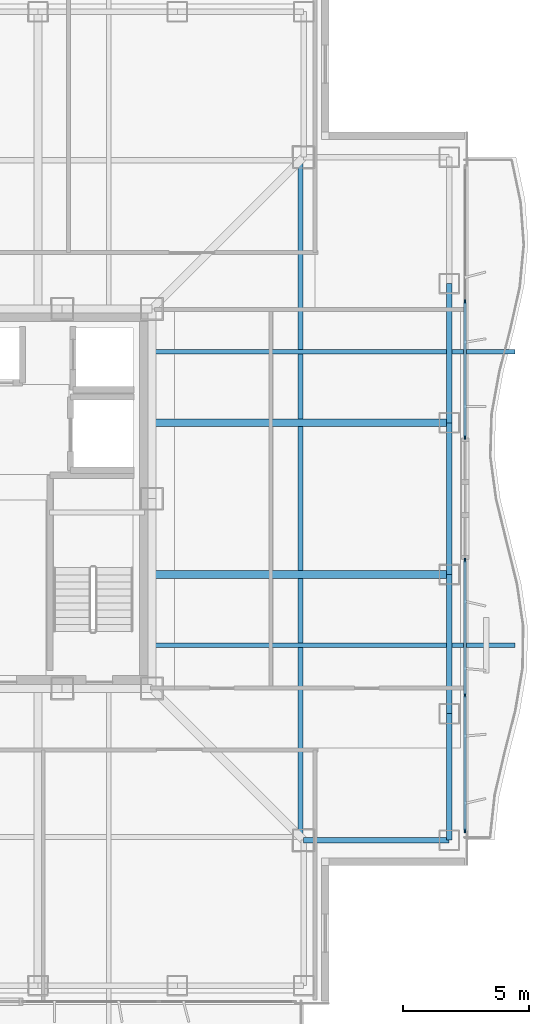
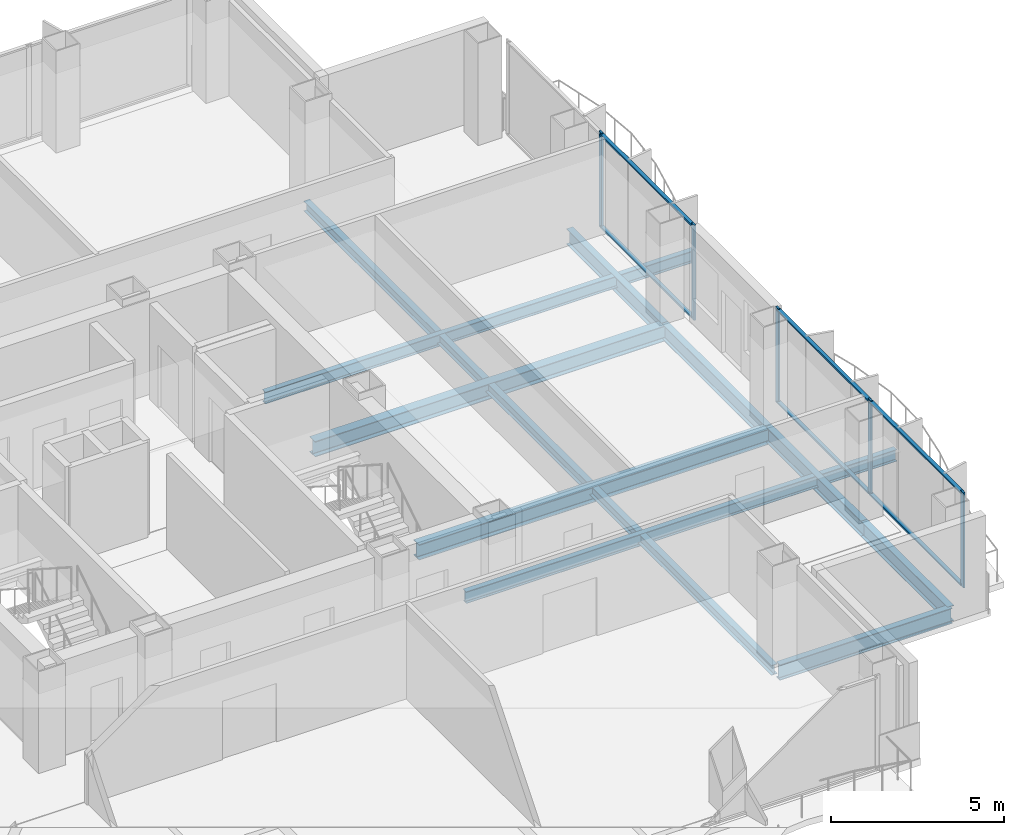
# One storey, part 6 of 16: 11 members, 10 beams, 2 elements without a shape of their own.
"""IFC4 building model written with IfcOpenShell, lengths in metres."""

from ifc_helpers import new_model, si_unit, direction, frame, origin, origin_2d, place, context, subcontext, project, spatial, rectangle, i_section, extrude, material, layer, layer_set, material_profile, profile_set, type_object, element, aggregate, save


model = new_model("IFC4")

# Units and contexts
model_context = context("Model", 3, precision=1e-05, world=origin(), true_north=direction((0.0, 1.0)))
body_context = subcontext(model_context, "Body", "Model", "MODEL_VIEW")
ifc_project = project(units=[si_unit("LENGTHUNIT", "METRE"), si_unit("AREAUNIT", "SQUARE_METRE"), si_unit("VOLUMEUNIT", "CUBIC_METRE"), si_unit("PLANEANGLEUNIT", "RADIAN"), si_unit("MASSUNIT", "GRAM", prefix="KILO")], contexts=[model_context])

# Site, building, storey
site_placement = place(None, origin())
site = spatial("IfcSite", under=ifc_project, at=site_placement, CompositionType="ELEMENT")
building_placement = place(site_placement, origin())
building = spatial("IfcBuilding", under=site, at=building_placement, Name="Trevonay Congress Spire", CompositionType="ELEMENT")
storey_placement = place(building_placement, frame((0.0, 0.0, 195.0)))
storey = spatial("IfcBuildingStorey", under=building, at=storey_placement, Name="L50", CompositionType="ELEMENT", Elevation=195.0)

# Beams
ifc_material_1 = material(Name="Steel ASTM A572 Grade 50", Category="steel")
ifc_material_profile_1 = material_profile(ifc_material_1, i_section(OverallWidth=0.31201171875, OverallDepth=0.54296875, WebThickness=0.0126953125, FlangeThickness=0.020263671875, FilletRadius=0.014892578125, at=origin_2d()), Name="W530x150")
ifc_profile_set_1 = profile_set([ifc_material_profile_1], Name="Steel ASTM A572 Grade 50")
beam_type_1 = type_object("IfcBeamType", Name="BM-GIRD-W530X150", PredefinedType="BEAM", material=ifc_profile_set_1)
for number, where, z_axis, x_axis, name in (
    (1, (7.5, -3.0, -0.511474609375), (1.0, 0.0, 0.0), (0.0, 1.0, 0.0), "L50 structural beam BM-L50-GE-M"),
    (2, (7.5, 3.0, -0.511474609375), (1.0, 0.0, 0.0), (0.0, 1.0, 0.0), "L50 structural beam BM-L50-GE-P"),
):
    element("IfcBeam", number, at=place(storey_placement, frame(where, z_axis=z_axis, x_axis=x_axis)), inside=storey, type_object=beam_type_1, Name=name, PredefinedType="BEAM", context=body_context, shape_type="SweptSolid", body=[
        extrude(i_section(OverallWidth=0.31201171875, OverallDepth=0.54296875, WebThickness=0.0126953125, FlangeThickness=0.020263671875, FilletRadius=0.014892578125, at=origin_2d()), origin(), (0.0, 0.0, 1.0), 11.75),
    ])
ifc_material_profile_2 = material_profile(ifc_material_1, i_section(OverallWidth=0.2119140625, OverallDepth=0.5439453125, WebThickness=0.01318359375, FlangeThickness=0.021240234375, FilletRadius=0.014892578125, at=origin_2d()), Name="W530x123")
ifc_profile_set_2 = profile_set([ifc_material_profile_2], Name="Steel ASTM A572 Grade 50")
beam_type_2 = type_object("IfcBeamType", Name="BM-RING-W530X123", PredefinedType="BEAM", material=ifc_profile_set_2)
beam_1_placement = place(storey_placement, frame((19.25, -13.5, -0.511962890625), z_axis=(0.0, 1.0, 0.0), x_axis=(-1.0, 0.0, 0.0)))
element("IfcBeam", 3, at=beam_1_placement, inside=storey, type_object=beam_type_2, Name="L50 structural beam BM-L50-PE1", PredefinedType="BEAM", context=body_context, shape_type="SweptSolid", body=[
    extrude(i_section(OverallWidth=0.2119140625, OverallDepth=0.5439453125, WebThickness=0.01318359375, FlangeThickness=0.021240234375, FilletRadius=0.014892578125, at=origin_2d()), origin(), (0.0, 0.0, 1.0), 5.0),
])
beam_2_placement = place(storey_placement, frame((19.25, -8.5, -0.511962890625), z_axis=(0.0, 1.0, 0.0), x_axis=(-1.0, 0.0, 0.0)))
element("IfcBeam", 4, at=beam_2_placement, inside=storey, type_object=beam_type_2, Name="L50 structural beam BM-L50-PE2", PredefinedType="BEAM", context=body_context, shape_type="SweptSolid", body=[
    extrude(i_section(OverallWidth=0.2119140625, OverallDepth=0.5439453125, WebThickness=0.01318359375, FlangeThickness=0.021240234375, FilletRadius=0.014892578125, at=origin_2d()), origin(), (0.0, 0.0, 1.0), 5.5),
])
beam_3_placement = place(storey_placement, frame((19.25, -3.0, -0.511962890625), z_axis=(0.0, 1.0, 0.0), x_axis=(-1.0, 0.0, 0.0)))
element("IfcBeam", 5, at=beam_3_placement, inside=storey, type_object=beam_type_2, Name="L50 structural beam BM-L50-PE3", PredefinedType="BEAM", context=body_context, shape_type="SweptSolid", body=[
    extrude(i_section(OverallWidth=0.2119140625, OverallDepth=0.5439453125, WebThickness=0.01318359375, FlangeThickness=0.021240234375, FilletRadius=0.014892578125, at=origin_2d()), origin(), (0.0, 0.0, 1.0), 6.0),
])
beam_4_placement = place(storey_placement, frame((19.25, 3.0, -0.511962890625), z_axis=(0.0, 1.0, 0.0), x_axis=(-1.0, 0.0, 0.0)))
element("IfcBeam", 6, at=beam_4_placement, inside=storey, type_object=beam_type_2, Name="L50 structural beam BM-L50-PE4", PredefinedType="BEAM", context=body_context, shape_type="SweptSolid", body=[
    extrude(i_section(OverallWidth=0.2119140625, OverallDepth=0.5439453125, WebThickness=0.01318359375, FlangeThickness=0.021240234375, FilletRadius=0.014892578125, at=origin_2d()), origin(), (0.0, 0.0, 1.0), 5.5),
])
beam_5_placement = place(storey_placement, frame((19.25, -13.5, -0.511962890625), z_axis=(-1.0, 0.0, 0.0), x_axis=(0.0, -1.0, 0.0)))
element("IfcBeam", 7, at=beam_5_placement, inside=storey, type_object=beam_type_2, Name="L50 structural beam BM-L50-N2SE", PredefinedType="BEAM", context=body_context, shape_type="SweptSolid", body=[
    extrude(i_section(OverallWidth=0.2119140625, OverallDepth=0.5439453125, WebThickness=0.01318359375, FlangeThickness=0.021240234375, FilletRadius=0.014892578125, at=origin_2d()), origin(), (0.0, 0.0, 1.0), 5.75),
])
ifc_material_profile_3 = material_profile(ifc_material_1, i_section(OverallWidth=0.180908203125, OverallDepth=0.4169921875, WebThickness=0.010986328125, FlangeThickness=0.018310546875, FilletRadius=0.012939453125, at=origin_2d()), Name="W410x85")
ifc_profile_set_3 = profile_set([ifc_material_profile_3], Name="Steel ASTM A572 Grade 50")
beam_type_3 = type_object("IfcBeamType", Name="BM-WAV-LOOKOUT", PredefinedType="BEAM", material=ifc_profile_set_3)
for number, where, z_axis, x_axis, name in (
    (8, (7.5, -5.800048828125, -0.448486328125), (1.0, 0.0, 0.0), (0.0, 1.0, 0.0), "L50 structural beam WLK-L50-E1"),
    (9, (7.5, 5.800048828125, -0.448486328125), (1.0, 0.0, 0.0), (0.0, 1.0, 0.0), "L50 structural beam WLK-L50-E2"),
):
    element("IfcBeam", number, at=place(storey_placement, frame(where, z_axis=z_axis, x_axis=x_axis)), inside=storey, type_object=beam_type_3, Name=name, PredefinedType="BEAM", context=body_context, shape_type="SweptSolid", body=[
        extrude(i_section(OverallWidth=0.180908203125, OverallDepth=0.4169921875, WebThickness=0.010986328125, FlangeThickness=0.018310546875, FilletRadius=0.012939453125, at=origin_2d()), origin(), (0.0, 0.0, 1.0), 14.35009765625),
    ])

# Curtain wall, members
ifc_material_2 = material(Name="Pale Anodised Aluminium EN AW-6063-T6", Category="aluminium")
ifc_layer = layer(ifc_material_2, 0.169921875, Name="Pale Anodised Aluminium EN AW-6063-T6")
ifc_layer_set = layer_set([ifc_layer], Name="Pale Anodised Aluminium EN AW-6063-T6")
curtain_wall_type = type_object("IfcCurtainWallType", Name="CW-SYS04-CORP-PALE-METAL", PredefinedType="NOTDEFINED", material=ifc_layer_set)
curtain_wall_1_placement = place(storey_placement, origin())
curtain_wall_1 = element("IfcCurtainWall", 10, at=curtain_wall_1_placement, inside=storey, type_object=curtain_wall_type, Name="L50 EA unitised curtain wall", PredefinedType="NOTDEFINED")
ifc_material_profile_4 = material_profile(ifc_material_2, rectangle(XDim=0.06005859375, YDim=0.159912109375, at=origin_2d()), Name="CW-MULLION-160-ALUMINIUM")
ifc_profile_set_4 = profile_set([ifc_material_profile_4], Name="Pale Anodised Aluminium EN AW-6063-T6")
member_type_1 = type_object("IfcMemberType", Name="CW-MULLION-160-ALUMINIUM", PredefinedType="MULLION", material=ifc_profile_set_4)
member_1_placement = place(storey_placement, frame((19.8798828125, -13.1201171875, 0.0), z_axis=(0.0, 0.0, 1.0), x_axis=(-1.0, 0.0, 0.0)))
member_1 = element("IfcMember", 11, at=member_1_placement, type_object=member_type_1, Name="CW04 mullion 1", PredefinedType="MULLION", context=body_context, shape_type="SweptSolid", body=[
    extrude(rectangle(XDim=0.06005859375, YDim=0.159912109375, at=origin_2d()), origin(), (0.0, 0.0, 1.0), 3.360107421875),
])
member_2_placement = place(storey_placement, frame((19.8798828125, -7.77490234375, 0.0), z_axis=(0.0, 0.0, 1.0), x_axis=(-1.0, 0.0, 0.0)))
member_2 = element("IfcMember", 12, at=member_2_placement, type_object=member_type_1, Name="CW04 mullion 2", PredefinedType="MULLION", context=body_context, shape_type="SweptSolid", body=[
    extrude(rectangle(XDim=0.06005859375, YDim=0.159912109375, at=origin_2d()), origin(), (0.0, 0.0, 1.0), 3.360107421875),
])
member_3_placement = place(storey_placement, frame((19.8798828125, -2.429931640625, 0.0), z_axis=(0.0, 0.0, 1.0), x_axis=(-1.0, 0.0, 0.0)))
member_3 = element("IfcMember", 13, at=member_3_placement, type_object=member_type_1, Name="CW04 mullion 3", PredefinedType="MULLION", context=body_context, shape_type="SweptSolid", body=[
    extrude(rectangle(XDim=0.06005859375, YDim=0.159912109375, at=origin_2d()), origin(), (0.0, 0.0, 1.0), 3.360107421875),
])

curtain_wall_2_placement = place(storey_placement, origin())
curtain_wall_2 = element("IfcCurtainWall", 14, at=curtain_wall_2_placement, inside=storey, type_object=curtain_wall_type, Name="L50 EB unitised curtain wall", PredefinedType="NOTDEFINED")
member_4_placement = place(storey_placement, frame((19.8798828125, 2.429931640625, 0.0), z_axis=(0.0, 0.0, 1.0), x_axis=(-1.0, 0.0, 0.0)))
member_4 = element("IfcMember", 15, at=member_4_placement, type_object=member_type_1, Name="CW04 mullion 1", PredefinedType="MULLION", context=body_context, shape_type="SweptSolid", body=[
    extrude(rectangle(XDim=0.06005859375, YDim=0.159912109375, at=origin_2d()), origin(), (0.0, 0.0, 1.0), 3.360107421875),
])
member_5_placement = place(storey_placement, frame((19.8798828125, 7.77490234375, 0.0), z_axis=(0.0, 0.0, 1.0), x_axis=(-1.0, 0.0, 0.0)))
member_5 = element("IfcMember", 16, at=member_5_placement, type_object=member_type_1, Name="CW04 mullion 2", PredefinedType="MULLION", context=body_context, shape_type="SweptSolid", body=[
    extrude(rectangle(XDim=0.06005859375, YDim=0.159912109375, at=origin_2d()), origin(), (0.0, 0.0, 1.0), 3.360107421875),
])

# Member
ifc_material_profile_5 = material_profile(ifc_material_2, rectangle(XDim=0.1201171875, YDim=0.06005859375, at=origin_2d()), Name="CW-TRANSOM-120-ALUMINIUM")
ifc_profile_set_5 = profile_set([ifc_material_profile_5], Name="Pale Anodised Aluminium EN AW-6063-T6")
member_type_2 = type_object("IfcMemberType", Name="CW-TRANSOM-120-ALUMINIUM", PredefinedType="USERDEFINED", material=ifc_profile_set_5)
member_6_placement = place(storey_placement, frame((19.8798828125, -13.090087890625, 0.06005859375), z_axis=(0.0, 1.0, 0.0), x_axis=(-1.0, 0.0, 0.0)))
member_6 = element("IfcMember", 17, at=member_6_placement, type_object=member_type_2, Name="CW04 transom 1.1", ObjectType="TRANSOM", PredefinedType="USERDEFINED", context=body_context, shape_type="SweptSolid", body=[
    extrude(rectangle(XDim=0.1201171875, YDim=0.06005859375, at=origin_2d()), origin(), (0.0, 0.0, 1.0), 5.28515625),
])

member_7_placement = place(storey_placement, frame((19.8798828125, -13.090087890625, 3.300048828125), z_axis=(0.0, 1.0, 0.0), x_axis=(-1.0, 0.0, 0.0)))
member_7 = element("IfcMember", 18, at=member_7_placement, type_object=member_type_2, Name="CW04 transom 1.2", ObjectType="TRANSOM", PredefinedType="USERDEFINED", context=body_context, shape_type="SweptSolid", body=[
    extrude(rectangle(XDim=0.1201171875, YDim=0.06005859375, at=origin_2d()), origin(), (0.0, 0.0, 1.0), 5.28515625),
])

member_8_placement = place(storey_placement, frame((19.8798828125, -7.7451171875, 0.06005859375), z_axis=(0.0, 1.0, 0.0), x_axis=(-1.0, 0.0, 0.0)))
member_8 = element("IfcMember", 19, at=member_8_placement, type_object=member_type_2, Name="CW04 transom 2.1", ObjectType="TRANSOM", PredefinedType="USERDEFINED", context=body_context, shape_type="SweptSolid", body=[
    extrude(rectangle(XDim=0.1201171875, YDim=0.06005859375, at=origin_2d()), origin(), (0.0, 0.0, 1.0), 5.28515625),
])

member_9_placement = place(storey_placement, frame((19.8798828125, -7.7451171875, 3.300048828125), z_axis=(0.0, 1.0, 0.0), x_axis=(-1.0, 0.0, 0.0)))
member_9 = element("IfcMember", 20, at=member_9_placement, type_object=member_type_2, Name="CW04 transom 2.2", ObjectType="TRANSOM", PredefinedType="USERDEFINED", context=body_context, shape_type="SweptSolid", body=[
    extrude(rectangle(XDim=0.1201171875, YDim=0.06005859375, at=origin_2d()), origin(), (0.0, 0.0, 1.0), 5.28515625),
])

aggregate(curtain_wall_1, [member_1, member_2, member_3, member_6, member_7, member_8, member_9])

member_10_placement = place(storey_placement, frame((19.8798828125, 2.4599609375, 0.06005859375), z_axis=(0.0, 1.0, 0.0), x_axis=(-1.0, 0.0, 0.0)))
member_10 = element("IfcMember", 21, at=member_10_placement, type_object=member_type_2, Name="CW04 transom 1.1", ObjectType="TRANSOM", PredefinedType="USERDEFINED", context=body_context, shape_type="SweptSolid", body=[
    extrude(rectangle(XDim=0.1201171875, YDim=0.06005859375, at=origin_2d()), origin(), (0.0, 0.0, 1.0), 5.28515625),
])

member_11_placement = place(storey_placement, frame((19.8798828125, 2.4599609375, 3.300048828125), z_axis=(0.0, 1.0, 0.0), x_axis=(-1.0, 0.0, 0.0)))
member_11 = element("IfcMember", 22, at=member_11_placement, type_object=member_type_2, Name="CW04 transom 1.2", ObjectType="TRANSOM", PredefinedType="USERDEFINED", context=body_context, shape_type="SweptSolid", body=[
    extrude(rectangle(XDim=0.1201171875, YDim=0.06005859375, at=origin_2d()), origin(), (0.0, 0.0, 1.0), 5.28515625),
])

aggregate(curtain_wall_2, [member_4, member_5, member_10, member_11])

# Beam
ifc_material_profile_6 = material_profile(ifc_material_1, i_section(OverallWidth=0.205078125, OverallDepth=0.35400390625, WebThickness=0.009521484375, FlangeThickness=0.016845703125, FilletRadius=0.011962890625, at=origin_2d()), Name="W360x79")
ifc_profile_set_6 = profile_set([ifc_material_profile_6], Name="Steel ASTM A572 Grade 50")
beam_type_4 = type_object("IfcBeamType", Name="JS-COMP-W360X79", PredefinedType="JOIST", material=ifc_profile_set_6)
beam_6_placement = place(storey_placement, frame((13.375, -13.5, -0.4169921875), z_axis=(0.0, 1.0, 0.0), x_axis=(-1.0, 0.0, 0.0)))
element("IfcBeam", 23, at=beam_6_placement, inside=storey, type_object=beam_type_4, Name="L50 structural beam JS-L50-RING-E", PredefinedType="JOIST", context=body_context, shape_type="SweptSolid", body=[
    extrude(i_section(OverallWidth=0.205078125, OverallDepth=0.35400390625, WebThickness=0.009521484375, FlangeThickness=0.016845703125, FilletRadius=0.011962890625, at=origin_2d()), origin(), (0.0, 0.0, 1.0), 27.0),
])

save(model, "model.ifc")
